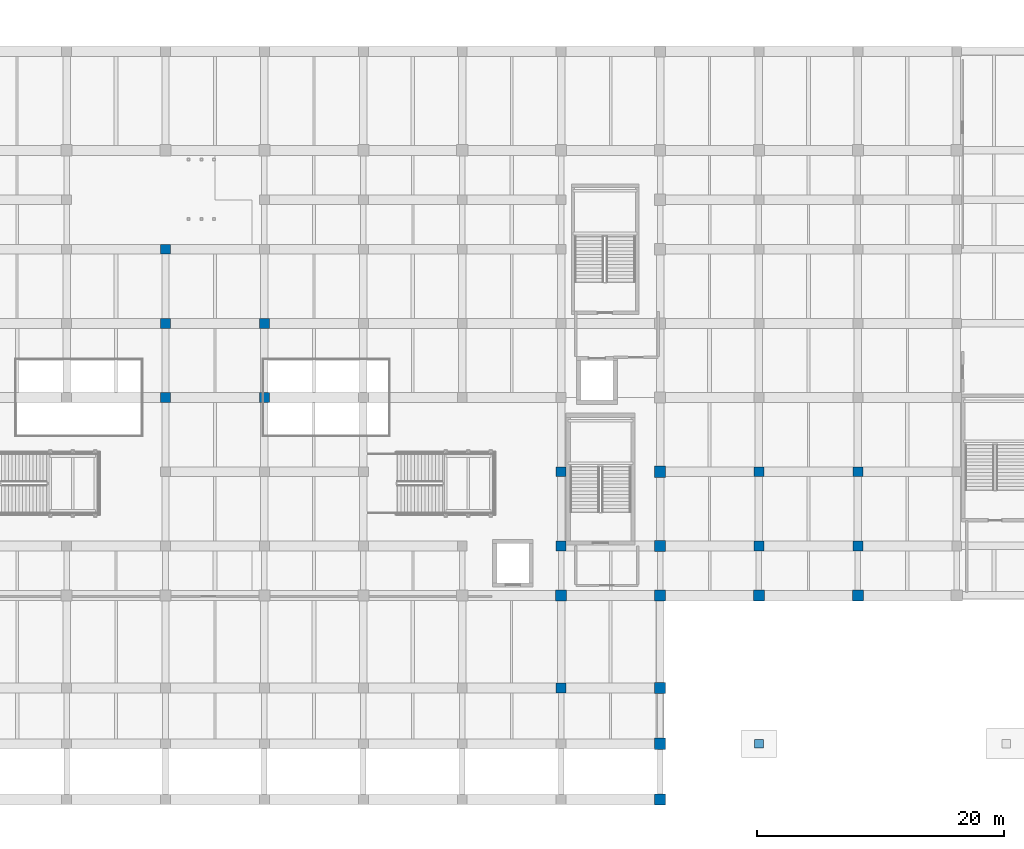
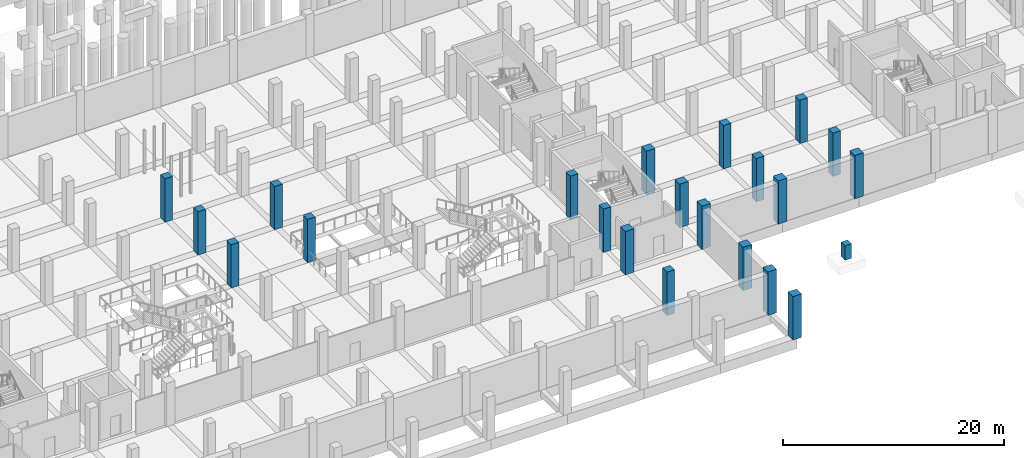
# One storey, part 8 of 36: 22 columns.
"""IFC4 building model written with IfcOpenShell, lengths in metres."""

from ifc_helpers import new_model, si_unit, direction, frame, origin, origin_2d, place, context, subcontext, project, spatial, rectangle, extrude, material, material_profile, profile_set, type_object, element, save


model = new_model("IFC4")

# Units and contexts
model_context = context("Model", 3, precision=1e-05, world=origin(), true_north=direction((0.0, 1.0)))
body_context = subcontext(model_context, "Body", "Model", "MODEL_VIEW")
ifc_project = project(units=[si_unit("LENGTHUNIT", "METRE"), si_unit("AREAUNIT", "SQUARE_METRE"), si_unit("VOLUMEUNIT", "CUBIC_METRE"), si_unit("PLANEANGLEUNIT", "RADIAN"), si_unit("MASSUNIT", "GRAM", prefix="KILO")], contexts=[model_context])

# Site, building, storey
site_placement = place(None, origin())
site = spatial("IfcSite", under=ifc_project, at=site_placement, CompositionType="ELEMENT")
building_placement = place(site_placement, origin())
building = spatial("IfcBuilding", under=site, at=building_placement, Name="Verrall Gate Interchange", CompositionType="ELEMENT")
storey_placement = place(building_placement, frame((0.0, 0.0, -4.800048828125)))
storey = spatial("IfcBuildingStorey", under=building, at=storey_placement, Name="B1", CompositionType="ELEMENT", Elevation=-4.800048828125)

# Columns
ifc_material_1 = material(Name="Concrete CSA A23.1 40 MPa (Class N)", Category="concrete")
ifc_material_profile_1 = material_profile(ifc_material_1, rectangle(XDim=0.89990234375, YDim=0.89990234375, at=origin_2d()), Name="RC900x900")
ifc_profile_set_1 = profile_set([ifc_material_profile_1], Name="Concrete CSA A23.1 40 MPa (Class N)")
column_type_1 = type_object("IfcColumnType", Name="C-01 Column RC900x900", PredefinedType="COLUMN", material=ifc_profile_set_1)
for number, where, z_axis, x_axis, name in (
    (1, (100.0, 12.0, 0.0), (0.0, 0.0, 1.0), (1.0, 0.0, 0.0), "B1 Column COL-B1-1093 (C-01)"),
    (2, (108.0, -4.5, 0.0), (0.0, 0.0, 1.0), (1.0, 0.0, 0.0), "B1 Column COL-B1-1121 (C-01)"),
    (3, (108.0, 0.0, 0.0), (0.0, 0.0, 1.0), (1.0, 0.0, 0.0), "B1 Column COL-B1-1123 (C-01)"),
    (4, (108.0, 4.5, 0.0), (0.0, 0.0, 1.0), (1.0, 0.0, 0.0), "B1 Column COL-B1-1127 (C-01)"),
    (5, (108.0, 12.0, 0.0), (0.0, 0.0, 1.0), (1.0, 0.0, 0.0), "B1 Column COL-B1-1131 (C-01)"),
    (6, (108.0, 16.0, 0.0), (0.0, 0.0, 1.0), (1.0, 0.0, 0.0), "B1 Column COL-B1-1135 (C-01)"),
    (7, (108.0, 22.0, 0.0), (0.0, 0.0, 1.0), (1.0, 0.0, 0.0), "B1 Column COL-B1-1139 (C-01)"),
    (8, (116.0, 12.0, 0.0), (0.0, 0.0, 1.0), (1.0, 0.0, 0.0), "B1 Column COL-B1-1167 (C-01)"),
    (9, (124.0, 12.0, 0.0), (0.0, 0.0, 1.0), (1.0, 0.0, 0.0), "B1 Column COL-B1-1189 (C-01)"),
):
    element("IfcColumn", number, at=place(storey_placement, frame(where, z_axis=z_axis, x_axis=x_axis)), inside=storey, type_object=column_type_1, Name=name, PredefinedType="COLUMN", context=body_context, shape_type="SweptSolid", body=[
        extrude(rectangle(XDim=0.89990234375, YDim=0.89990234375, at=origin_2d()), origin(), (0.0, 0.0, 1.0), 4.800048828125),
    ])
ifc_material_2 = material(Name="Concrete CSA A23.1 40 MPa (Class N)", Category="concrete")
ifc_material_profile_2 = material_profile(ifc_material_2, rectangle(XDim=0.800048828125, YDim=0.800048828125, at=origin_2d()), Name="RC800x800")
ifc_profile_set_2 = profile_set([ifc_material_profile_2], Name="Concrete CSA A23.1 40 MPa (Class N)")
column_type_2 = type_object("IfcColumnType", Name="C-02 Column RC800x800", PredefinedType="COLUMN", material=ifc_profile_set_2)
for number, where, z_axis, x_axis, name in (
    (10, (68.0, 28.0, 0.0), (0.0, 0.0, 1.0), (1.0, 0.0, 0.0), "B1 Column COL-B1-0957 (C-02)"),
    (11, (68.0, 34.0, 0.0), (0.0, 0.0, 1.0), (1.0, 0.0, 0.0), "B1 Column COL-B1-0959 (C-02)"),
    (12, (68.0, 40.0, 0.0), (0.0, 0.0, 1.0), (1.0, 0.0, 0.0), "B1 Column COL-B1-0961 (C-02)"),
    (13, (76.0, 28.0, 0.0), (0.0, 0.0, 1.0), (1.0, 0.0, 0.0), "B1 Column COL-B1-0991 (C-02)"),
    (14, (76.0, 34.0, 0.0), (0.0, 0.0, 1.0), (1.0, 0.0, 0.0), "B1 Column COL-B1-0993 (C-02)"),
    (15, (100.0, 4.5, 0.0), (0.0, 0.0, 1.0), (1.0, 0.0, 0.0), "B1 Column COL-B1-1089 (C-02)"),
    (16, (100.0, 16.0, 0.0), (0.0, 0.0, 1.0), (1.0, 0.0, 0.0), "B1 Column COL-B1-1097 (C-02)"),
    (17, (100.0, 22.0, 0.0), (0.0, 0.0, 1.0), (1.0, 0.0, 0.0), "B1 Column COL-B1-1101 (C-02)"),
    (18, (116.0, 16.0, 0.0), (0.0, 0.0, 1.0), (1.0, 0.0, 0.0), "B1 Column COL-B1-1169 (C-02)"),
    (19, (116.0, 22.0, 0.0), (0.0, 0.0, 1.0), (1.0, 0.0, 0.0), "B1 Column COL-B1-1171 (C-02)"),
    (20, (124.0, 16.0, 0.0), (0.0, 0.0, 1.0), (1.0, 0.0, 0.0), "B1 Column COL-B1-1191 (C-02)"),
    (21, (124.0, 22.0, 0.0), (0.0, 0.0, 1.0), (1.0, 0.0, 0.0), "B1 Column COL-B1-1193 (C-02)"),
):
    element("IfcColumn", number, at=place(storey_placement, frame(where, z_axis=z_axis, x_axis=x_axis)), inside=storey, type_object=column_type_2, Name=name, PredefinedType="COLUMN", context=body_context, shape_type="SweptSolid", body=[
        extrude(rectangle(XDim=0.800048828125, YDim=0.800048828125, at=origin_2d()), origin(), (0.0, 0.0, 1.0), 4.800048828125),
    ])
ifc_material_3 = material(Name="Concrete CSA A23.1 40 MPa (Class N)", Category="concrete")
ifc_material_profile_3 = material_profile(ifc_material_3, rectangle(XDim=0.699951171875, YDim=0.699951171875, at=origin_2d()), Name="RC700x700")
ifc_profile_set_3 = profile_set([ifc_material_profile_3], Name="Concrete CSA A23.1 40 MPa (Class N)")
column_type_3 = type_object("IfcColumnType", Name="C-03 Column RC700x700", PredefinedType="COLUMN", material=ifc_profile_set_3)
column_placement = place(storey_placement, frame((116.0, 0.0, 3.199951171875), z_axis=(0.0, 0.0, 1.0), x_axis=(1.0, 0.0, 0.0)))
element("IfcColumn", 22, at=column_placement, inside=storey, type_object=column_type_3, Name="Canopy Foundation Pier 1661", PredefinedType="COLUMN", context=body_context, shape_type="SweptSolid", body=[
    extrude(rectangle(XDim=0.699951171875, YDim=0.699951171875, at=origin_2d()), origin(), (0.0, 0.0, 1.0), 1.60009765625),
])

save(model, "model.ifc")
